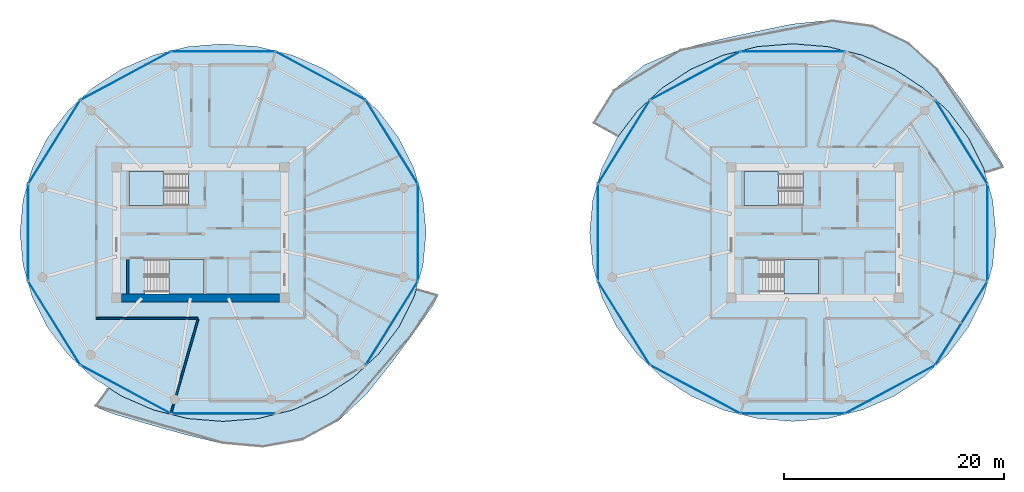
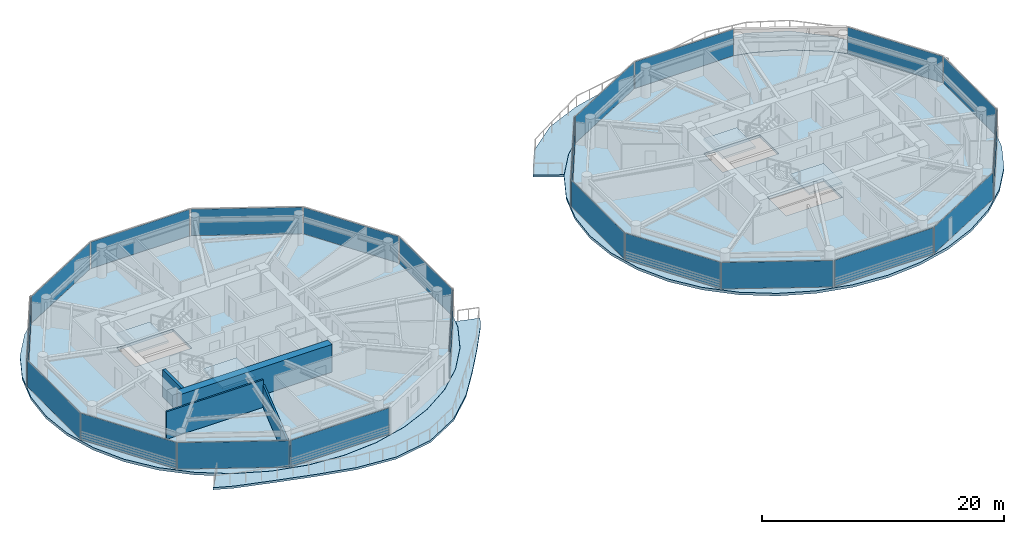
# One storey, part 12 of 24: 22 plates, 8 slabs, 4 walls, 26 elements without a shape of their own.
"""IFC4 building model written with IfcOpenShell, lengths in metres."""

from ifc_helpers import new_model, si_unit, direction, frame, frame_2d, origin, origin_2d, place, context, subcontext, project, spatial, polyline, rectangle, outline, extrude, source, transform, mapped, material, layer, layer_set, type_object, type_shapes, element, aggregate, save


model = new_model("IFC4")

# Units and contexts
model_context = context("Model", 3, precision=1e-05, world=origin(), true_north=direction((0.0, 1.0)))
body_context = subcontext(model_context, "Body", "Model", "MODEL_VIEW")
ifc_project = project(units=[si_unit("LENGTHUNIT", "METRE"), si_unit("AREAUNIT", "SQUARE_METRE"), si_unit("VOLUMEUNIT", "CUBIC_METRE"), si_unit("PLANEANGLEUNIT", "RADIAN"), si_unit("MASSUNIT", "GRAM", prefix="KILO")], contexts=[model_context])

# Site, building, storey
site_placement = place(None, origin())
site = spatial("IfcSite", under=ifc_project, at=site_placement, CompositionType="ELEMENT")
building_placement = place(site_placement, origin())
building = spatial("IfcBuilding", under=site, at=building_placement, Name="Norrkilde Senior Care Towers", CompositionType="ELEMENT")
storey_placement = place(building_placement, frame((0.0, 0.0, 111.5)))
storey = spatial("IfcBuildingStorey", under=building, at=storey_placement, Name="L34", CompositionType="ELEMENT", Elevation=111.5)

# Slabs
ifc_material_1 = material(Name="Concrete C50/60", Category="concrete")
ifc_layer_1 = layer(ifc_material_1, 0.215087890625)
ifc_layer_set_1 = layer_set([ifc_layer_1], Name="Concrete C50/60")
slab_type_1 = type_object("IfcSlabType", Name="Sinusoidal Balcony Ribbon Slab 215", PredefinedType="FLOOR", material=ifc_layer_set_1)
slab_1_placement = place(storey_placement, frame((0.0, 0.0, -0.215087890625)))
element("IfcSlab", 1, at=slab_1_placement, inside=storey, type_object=slab_type_1, Name="L34 Drum W Swirling Senior Balcony 1", PredefinedType="FLOOR", context=body_context, shape_type="SweptSolid", body=[
    extrude(outline(polyline([(-8.724853515625, -9.347412109375), (-10.7177734375, -12.012939453125), (-12.86669921875, -14.70361328125), (-15.4794921875, -17.16943359375), (-18.693603515625, -18.907958984375), (-22.306640625, -19.56689453125), (-25.949951171875, -19.243896484375), (-29.40234375, -18.401611328125), (-32.7197265625, -17.469970703125), (-36.055908203125, -16.490234375), (-37.653076171875, -15.826904296875), (-36.39404296875, -14.124267578125), (-35.202392578125, -14.89990234375), (-32.279052734375, -16.16748046875), (-29.163330078125, -16.943603515625), (-25.949951171875, -17.205078125), (-22.736572265625, -16.943603515625), (-19.620849609375, -16.16748046875), (-16.697509765625, -14.89990234375), (-14.05517578125, -13.1796875), (-11.7744140625, -11.05908203125), (-9.92431640625, -8.6025390625), (-8.56103515625, -5.884521484375), (-8.334716796875, -5.099853515625), (-6.332763671875, -5.679443359375), (-6.785888671875, -6.57958984375), (-8.724853515625, -9.347412109375)])), origin(), (0.0, 0.0, 1.0), 0.215087890625),
])
slab_2_placement = place(storey_placement, frame((0.0, 0.0, -0.215087890625)))
element("IfcSlab", 2, at=slab_2_placement, inside=storey, type_object=slab_type_1, Name="L34 Drum E Swirling Senior Balcony 1", PredefinedType="FLOOR", context=body_context, shape_type="SweptSolid", body=[
    extrude(outline(polyline([(9.626708984375, 12.99755859375), (12.420166015625, 15.27587890625), (15.7333984375, 16.696533203125), (19.1474609375, 17.56689453125), (22.51416015625, 18.300537109375), (25.949951171875, 19.009765625), (29.561279296875, 19.370849609375), (33.199462890625, 18.887939453125), (36.50146484375, 17.3203125), (39.181884765625, 14.89404296875), (41.285400390625, 12.106201171875), (43.121826171875, 9.314453125), (44.909423828125, 6.49951171875), (45.201171875, 5.923095703125), (43.48046875, 5.393798828125), (43.339111328125, 5.884521484375), (41.975830078125, 8.6025390625), (40.125732421875, 11.05908203125), (37.8447265625, 13.1796875), (35.202392578125, 14.89990234375), (32.279052734375, 16.16748046875), (29.163330078125, 16.943603515625), (25.949951171875, 17.205078125), (22.736572265625, 16.943603515625), (19.620849609375, 16.16748046875), (16.697509765625, 14.89990234375), (14.05517578125, 13.1796875), (11.7744140625, 11.05908203125), (10.009033203125, 8.715087890625), (7.7353515625, 9.958251953125), (7.736328125, 9.96142578125), (9.626708984375, 12.99755859375)])), origin(), (0.0, 0.0, 1.0), 0.215087890625),
])

# Stair, slab
ifc_material_2 = material(Name="Concrete C45/55", Category="concrete")
stair_type = type_object("IfcStairType", Name="Core Protected Dogleg Stair Typical 3050", PredefinedType="HALF_TURN_STAIR", material=ifc_material_2)
stair_1_placement = place(storey_placement, origin())
stair_1 = element("IfcStair", 3, at=stair_1_placement, inside=storey, type_object=stair_type, Name="L34 Protected Core Stair W1", PredefinedType="HALF_TURN_STAIR")
ifc_layer_2 = layer(ifc_material_2, 0.199951171875)
ifc_layer_set_2 = layer_set([ifc_layer_2], Name="Concrete C45/55")
slab_type_2 = type_object("IfcSlabType", Name="Stair Landing Slab 200", PredefinedType="LANDING", material=ifc_layer_set_2)
slab_3_placement = place(storey_placement, frame((0.0, 0.0, 1.324951171875)))
slab_3 = element("IfcSlab", 4, at=slab_3_placement, type_object=slab_type_2, Name="ST-W1 landing 1", PredefinedType="LANDING", context=body_context, shape_type="SweptSolid", body=[
    extrude(outline(polyline([(-31.340087890625, 5.590087890625), (-34.5, 5.590087890625), (-34.5, 2.449951171875), (-31.340087890625, 2.449951171875), (-31.340087890625, 5.590087890625)])), origin(), (0.0, 0.0, 1.0), 0.199951171875),
])
aggregate(stair_1, [slab_3])

stair_2_placement = place(storey_placement, origin())
stair_2 = element("IfcStair", 5, at=stair_2_placement, inside=storey, type_object=stair_type, Name="L34 Protected Core Stair W2", PredefinedType="HALF_TURN_STAIR")
slab_4_placement = place(storey_placement, frame((0.0, 0.0, 1.324951171875)))
slab_4 = element("IfcSlab", 6, at=slab_4_placement, type_object=slab_type_2, Name="ST-W2 landing 1", PredefinedType="LANDING", context=body_context, shape_type="SweptSolid", body=[
    extrude(outline(polyline([(-30.860107421875, -5.590087890625), (-27.699951171875, -5.590087890625), (-27.699951171875, -2.449951171875), (-30.860107421875, -2.449951171875), (-30.860107421875, -5.590087890625)])), origin(), (0.0, 0.0, 1.0), 0.199951171875),
])
aggregate(stair_2, [slab_4])

stair_3_placement = place(storey_placement, origin())
stair_3 = element("IfcStair", 7, at=stair_3_placement, inside=storey, type_object=stair_type, Name="L34 Protected Core Stair E1", PredefinedType="HALF_TURN_STAIR")
slab_5_placement = place(storey_placement, frame((0.0, 0.0, 1.324951171875)))
slab_5 = element("IfcSlab", 8, at=slab_5_placement, type_object=slab_type_2, Name="ST-E1 landing 1", PredefinedType="LANDING", context=body_context, shape_type="SweptSolid", body=[
    extrude(outline(polyline([(24.659912109375, 5.590087890625), (21.5, 5.590087890625), (21.5, 2.449951171875), (24.659912109375, 2.449951171875), (24.659912109375, 5.590087890625)])), origin(), (0.0, 0.0, 1.0), 0.199951171875),
])
aggregate(stair_3, [slab_5])

stair_4_placement = place(storey_placement, origin())
stair_4 = element("IfcStair", 9, at=stair_4_placement, inside=storey, type_object=stair_type, Name="L34 Protected Core Stair E2", PredefinedType="HALF_TURN_STAIR")
slab_6_placement = place(storey_placement, frame((0.0, 0.0, 1.324951171875)))
slab_6 = element("IfcSlab", 10, at=slab_6_placement, type_object=slab_type_2, Name="ST-E2 landing 1", PredefinedType="LANDING", context=body_context, shape_type="SweptSolid", body=[
    extrude(outline(polyline([(25.139892578125, -5.590087890625), (28.300048828125, -5.590087890625), (28.300048828125, -2.449951171875), (25.139892578125, -2.449951171875), (25.139892578125, -5.590087890625)])), origin(), (0.0, 0.0, 1.0), 0.199951171875),
])
aggregate(stair_4, [slab_6])

# Slabs
ifc_layer_3 = layer(ifc_material_1, 0.260009765625)
ifc_layer_set_3 = layer_set([ifc_layer_3], Name="Concrete C50/60")
slab_type_3 = type_object("IfcSlabType", Name="Tower Care Floor Slab 260", PredefinedType="FLOOR", material=ifc_layer_set_3)
slab_7_placement = place(storey_placement, frame((0.0, 0.0, -0.260009765625)))
element("IfcSlab", 11, at=slab_7_placement, inside=storey, type_object=slab_type_3, Name="L34 Drum W Structural Floor Slab", PredefinedType="FLOOR", context=body_context, shape_type="SweptSolid", body=[
    extrude(outline(polyline([(-8.565673828125, -5.8828125), (-9.928466796875, -8.60009765625), (-11.778076171875, -11.055908203125), (-14.058349609375, -13.176025390625), (-16.699951171875, -14.895751953125), (-19.62255859375, -16.16259765625), (-22.737548828125, -16.938720703125), (-25.949951171875, -17.199951171875), (-29.16259765625, -16.938720703125), (-32.27734375, -16.16259765625), (-35.199951171875, -14.895751953125), (-37.841552734375, -13.176025390625), (-40.121826171875, -11.055908203125), (-41.971435546875, -8.60009765625), (-43.334228515625, -5.8828125), (-44.1689453125, -2.98681640625), (-44.449951171875, 0.0), (-44.1689453125, 2.98681640625), (-43.334228515625, 5.8828125), (-41.971435546875, 8.60009765625), (-40.121826171875, 11.055908203125), (-37.841552734375, 13.176025390625), (-35.199951171875, 14.895751953125), (-32.27734375, 16.16259765625), (-29.16259765625, 16.938720703125), (-25.949951171875, 17.199951171875), (-22.737548828125, 16.938720703125), (-19.62255859375, 16.16259765625), (-16.699951171875, 14.895751953125), (-14.058349609375, 13.176025390625), (-11.778076171875, 11.055908203125), (-9.928466796875, 8.60009765625), (-8.565673828125, 5.8828125), (-7.73095703125, 2.98681640625), (-7.449951171875, 0.0), (-7.73095703125, -2.98681640625), (-8.565673828125, -5.8828125)]), holes=[polyline([(-34.48193359375, 2.468017578125), (-29.117919921875, 2.468017578125), (-29.117919921875, 5.590087890625), (-34.48193359375, 5.590087890625), (-34.48193359375, 2.468017578125)]), polyline([(-27.718017578125, -5.590087890625), (-27.718017578125, -2.468017578125), (-33.08203125, -2.468017578125), (-33.08203125, -5.590087890625), (-27.718017578125, -5.590087890625)])]), origin(), (0.0, 0.0, 1.0), 0.260009765625),
])
slab_8_placement = place(storey_placement, frame((0.0, 0.0, -0.260009765625)))
element("IfcSlab", 12, at=slab_8_placement, inside=storey, type_object=slab_type_3, Name="L34 Drum E Structural Floor Slab", PredefinedType="FLOOR", context=body_context, shape_type="SweptSolid", body=[
    extrude(outline(polyline([(43.334228515625, -5.8828125), (41.971435546875, -8.60009765625), (40.121826171875, -11.055908203125), (37.841552734375, -13.176025390625), (35.199951171875, -14.895751953125), (32.27734375, -16.16259765625), (29.16259765625, -16.938720703125), (25.949951171875, -17.199951171875), (22.737548828125, -16.938720703125), (19.62255859375, -16.16259765625), (16.699951171875, -14.895751953125), (14.058349609375, -13.176025390625), (11.778076171875, -11.055908203125), (9.928466796875, -8.60009765625), (8.565673828125, -5.8828125), (7.73095703125, -2.98681640625), (7.449951171875, 0.0), (7.73095703125, 2.98681640625), (8.565673828125, 5.8828125), (9.928466796875, 8.60009765625), (11.778076171875, 11.055908203125), (14.058349609375, 13.176025390625), (16.699951171875, 14.895751953125), (19.62255859375, 16.16259765625), (22.737548828125, 16.938720703125), (25.949951171875, 17.199951171875), (29.16259765625, 16.938720703125), (32.27734375, 16.16259765625), (35.199951171875, 14.895751953125), (37.841552734375, 13.176025390625), (40.121826171875, 11.055908203125), (41.971435546875, 8.60009765625), (43.334228515625, 5.8828125), (44.1689453125, 2.98681640625), (44.449951171875, 0.0), (44.1689453125, -2.98681640625), (43.334228515625, -5.8828125)]), holes=[polyline([(21.51806640625, 2.468017578125), (26.882080078125, 2.468017578125), (26.882080078125, 5.590087890625), (21.51806640625, 5.590087890625), (21.51806640625, 2.468017578125)]), polyline([(28.281982421875, -5.590087890625), (28.281982421875, -2.468017578125), (22.91796875, -2.468017578125), (22.91796875, -5.590087890625), (28.281982421875, -5.590087890625)])]), origin(), (0.0, 0.0, 1.0), 0.260009765625),
])

# Curtain wall, plate
ifc_material_3 = material(Name="Triple Low-E Insulated Glazing", Category="glass")
ifc_layer_4 = layer(ifc_material_3, 0.195068359375)
ifc_layer_set_4 = layer_set([ifc_layer_4], Name="Triple Low-E Insulated Glazing")
curtain_wall_type = type_object("IfcCurtainWallType", Name="CW3 Zone 2 Assisted Living Curtain Wall", PredefinedType="NOTDEFINED", material=ifc_layer_set_4)
curtain_wall_1_placement = place(storey_placement, origin())
curtain_wall_1 = element("IfcCurtainWall", 13, at=curtain_wall_1_placement, inside=storey, type_object=curtain_wall_type, Name="L34 Drum W Curtain Wall 00", PredefinedType="NOTDEFINED")
ifc_layer_5 = layer(ifc_material_3, 0.035888671875)
ifc_layer_set_5 = layer_set([ifc_layer_5], Name="Triple Low-E Insulated Glazing")
plate_type = type_object("IfcPlateType", Name="Triple Low-E Vision Curtain Panel 36", PredefinedType="CURTAIN_PANEL", material=ifc_layer_set_5)
shared_shape_1 = source(origin(), body_context, "Body", "SweptSolid", [
    extrude(rectangle(XDim=8.88427734375, YDim=0.035888671875, at=origin_2d()), origin(), (0.0, 0.0, 1.0), 2.669921875),
])
plate_1_placement = place(storey_placement, frame((-10.574951171875, 8.2490234375, 0.06005859375), z_axis=(0.0, 0.0, 1.0), x_axis=(0.527733228002, -0.849410171862, 0.0)))
plate_1 = element("IfcPlate", 14, at=plate_1_placement, type_object=plate_type, Name="CW-3 panel 1.1", PredefinedType="CURTAIN_PANEL", context=body_context, shape_type="MappedRepresentation", body=[
    mapped(shared_shape_1, transform((0.0, 0.0, 0.0), x_axis=(1.0, 0.0, 0.0), y_axis=(0.0, 1.0, 0.0), z_axis=(0.0, 0.0, 1.0), scale=1.0)),
])
aggregate(curtain_wall_1, [plate_1])

curtain_wall_2_placement = place(storey_placement, origin())
curtain_wall_2 = element("IfcCurtainWall", 15, at=curtain_wall_2_placement, inside=storey, type_object=curtain_wall_type, Name="L34 Drum W Curtain Wall 04", PredefinedType="NOTDEFINED")
plate_2_placement = place(storey_placement, frame((-41.3251953125, 8.2490234375, 0.06005859375), z_axis=(0.0, 0.0, 1.0), x_axis=(0.527733228002, 0.849410171862, 0.0)))
plate_2 = element("IfcPlate", 16, at=plate_2_placement, type_object=plate_type, Name="CW-3 panel 1.1", PredefinedType="CURTAIN_PANEL", context=body_context, shape_type="MappedRepresentation", body=[
    mapped(shared_shape_1, transform((0.0, 0.0, 0.0), x_axis=(1.0, 0.0, 0.0), y_axis=(0.0, 1.0, 0.0), z_axis=(0.0, 0.0, 1.0), scale=1.0)),
])
aggregate(curtain_wall_2, [plate_2])

curtain_wall_3_placement = place(storey_placement, origin())
curtain_wall_3 = element("IfcCurtainWall", 17, at=curtain_wall_3_placement, inside=storey, type_object=curtain_wall_type, Name="L34 Drum W Curtain Wall 06", PredefinedType="NOTDEFINED")
plate_3_placement = place(storey_placement, frame((-41.3251953125, -8.2490234375, 0.06005859375), z_axis=(0.0, 0.0, 1.0), x_axis=(-0.527733228002, 0.849410171862, 0.0)))
plate_3 = element("IfcPlate", 18, at=plate_3_placement, type_object=plate_type, Name="CW-3 panel 1.1", PredefinedType="CURTAIN_PANEL", context=body_context, shape_type="MappedRepresentation", body=[
    mapped(shared_shape_1, transform((0.0, 0.0, 0.0), x_axis=(1.0, 0.0, 0.0), y_axis=(0.0, 1.0, 0.0), z_axis=(0.0, 0.0, 1.0), scale=1.0)),
])
aggregate(curtain_wall_3, [plate_3])

curtain_wall_4_placement = place(storey_placement, origin())
curtain_wall_4 = element("IfcCurtainWall", 19, at=curtain_wall_4_placement, inside=storey, type_object=curtain_wall_type, Name="L34 Drum W Curtain Wall 10", PredefinedType="NOTDEFINED")
plate_4_placement = place(storey_placement, frame((-10.574951171875, -8.2490234375, 0.06005859375), z_axis=(0.0, 0.0, 1.0), x_axis=(-0.527733228002, -0.849410171862, 0.0)))
plate_4 = element("IfcPlate", 20, at=plate_4_placement, type_object=plate_type, Name="CW-3 panel 1.1", PredefinedType="CURTAIN_PANEL", context=body_context, shape_type="MappedRepresentation", body=[
    mapped(shared_shape_1, transform((0.0, 0.0, 0.0), x_axis=(1.0, 0.0, 0.0), y_axis=(0.0, 1.0, 0.0), z_axis=(0.0, 0.0, 1.0), scale=1.0)),
])
aggregate(curtain_wall_4, [plate_4])

curtain_wall_5_placement = place(storey_placement, origin())
curtain_wall_5 = element("IfcCurtainWall", 21, at=curtain_wall_5_placement, inside=storey, type_object=curtain_wall_type, Name="L34 Drum E Curtain Wall 00", PredefinedType="NOTDEFINED")
plate_5_placement = place(storey_placement, frame((41.3251953125, 8.2490234375, 0.06005859375), z_axis=(0.0, 0.0, 1.0), x_axis=(0.527733228002, -0.849410171862, 0.0)))
plate_5 = element("IfcPlate", 22, at=plate_5_placement, type_object=plate_type, Name="CW-3 panel 1.1", PredefinedType="CURTAIN_PANEL", context=body_context, shape_type="MappedRepresentation", body=[
    mapped(shared_shape_1, transform((0.0, 0.0, 0.0), x_axis=(1.0, 0.0, 0.0), y_axis=(0.0, 1.0, 0.0), z_axis=(0.0, 0.0, 1.0), scale=1.0)),
])
aggregate(curtain_wall_5, [plate_5])

curtain_wall_6_placement = place(storey_placement, origin())
curtain_wall_6 = element("IfcCurtainWall", 23, at=curtain_wall_6_placement, inside=storey, type_object=curtain_wall_type, Name="L34 Drum E Curtain Wall 04", PredefinedType="NOTDEFINED")
plate_6_placement = place(storey_placement, frame((10.574951171875, 8.2490234375, 0.06005859375), z_axis=(0.0, 0.0, 1.0), x_axis=(0.527733228002, 0.849410171862, 0.0)))
plate_6 = element("IfcPlate", 24, at=plate_6_placement, type_object=plate_type, Name="CW-3 panel 1.1", PredefinedType="CURTAIN_PANEL", context=body_context, shape_type="MappedRepresentation", body=[
    mapped(shared_shape_1, transform((0.0, 0.0, 0.0), x_axis=(1.0, 0.0, 0.0), y_axis=(0.0, 1.0, 0.0), z_axis=(0.0, 0.0, 1.0), scale=1.0)),
])
aggregate(curtain_wall_6, [plate_6])

curtain_wall_7_placement = place(storey_placement, origin())
curtain_wall_7 = element("IfcCurtainWall", 25, at=curtain_wall_7_placement, inside=storey, type_object=curtain_wall_type, Name="L34 Drum E Curtain Wall 06", PredefinedType="NOTDEFINED")
plate_7_placement = place(storey_placement, frame((10.574951171875, -8.2490234375, 0.06005859375), z_axis=(0.0, 0.0, 1.0), x_axis=(-0.527733228002, 0.849410171862, 0.0)))
plate_7 = element("IfcPlate", 26, at=plate_7_placement, type_object=plate_type, Name="CW-3 panel 1.1", PredefinedType="CURTAIN_PANEL", context=body_context, shape_type="MappedRepresentation", body=[
    mapped(shared_shape_1, transform((0.0, 0.0, 0.0), x_axis=(1.0, 0.0, 0.0), y_axis=(0.0, 1.0, 0.0), z_axis=(0.0, 0.0, 1.0), scale=1.0)),
])
aggregate(curtain_wall_7, [plate_7])

curtain_wall_8_placement = place(storey_placement, origin())
curtain_wall_8 = element("IfcCurtainWall", 27, at=curtain_wall_8_placement, inside=storey, type_object=curtain_wall_type, Name="L34 Drum E Curtain Wall 10", PredefinedType="NOTDEFINED")
plate_8_placement = place(storey_placement, frame((41.3251953125, -8.2490234375, 0.06005859375), z_axis=(0.0, 0.0, 1.0), x_axis=(-0.527733228002, -0.849410171862, 0.0)))
plate_8 = element("IfcPlate", 28, at=plate_8_placement, type_object=plate_type, Name="CW-3 panel 1.1", PredefinedType="CURTAIN_PANEL", context=body_context, shape_type="MappedRepresentation", body=[
    mapped(shared_shape_1, transform((0.0, 0.0, 0.0), x_axis=(1.0, 0.0, 0.0), y_axis=(0.0, 1.0, 0.0), z_axis=(0.0, 0.0, 1.0), scale=1.0)),
])
aggregate(curtain_wall_8, [plate_8])

curtain_wall_9_placement = place(storey_placement, origin())
curtain_wall_9 = element("IfcCurtainWall", 29, at=curtain_wall_9_placement, inside=storey, type_object=curtain_wall_type, Name="L34 Drum W Curtain Wall 01", PredefinedType="NOTDEFINED")
shared_shape_2 = source(origin(), body_context, "Body", "SweptSolid", [
    extrude(rectangle(XDim=9.220458984375, YDim=0.035888671875, at=origin_2d()), origin(), (0.0, 0.0, 1.0), 2.669921875),
])
plate_9_placement = place(storey_placement, frame((-17.0732421875, 14.28759765625, 0.06005859375), z_axis=(0.0, 0.0, 1.0), x_axis=(0.881186184668, -0.472769402511, 0.0)))
plate_9 = element("IfcPlate", 30, at=plate_9_placement, type_object=plate_type, Name="CW-3 panel 1.1", PredefinedType="CURTAIN_PANEL", context=body_context, shape_type="MappedRepresentation", body=[
    mapped(shared_shape_2, transform((0.0, 0.0, 0.0), x_axis=(1.0, 0.0, 0.0), y_axis=(0.0, 1.0, 0.0), z_axis=(0.0, 0.0, 1.0), scale=1.0)),
])
aggregate(curtain_wall_9, [plate_9])

curtain_wall_10_placement = place(storey_placement, origin())
curtain_wall_10 = element("IfcCurtainWall", 31, at=curtain_wall_10_placement, inside=storey, type_object=curtain_wall_type, Name="L34 Drum W Curtain Wall 03", PredefinedType="NOTDEFINED")
plate_10_placement = place(storey_placement, frame((-34.826904296875, 14.28759765625, 0.06005859375), z_axis=(0.0, 0.0, 1.0), x_axis=(0.881186184668, 0.472769402511, 0.0)))
plate_10 = element("IfcPlate", 32, at=plate_10_placement, type_object=plate_type, Name="CW-3 panel 1.1", PredefinedType="CURTAIN_PANEL", context=body_context, shape_type="MappedRepresentation", body=[
    mapped(shared_shape_2, transform((0.0, 0.0, 0.0), x_axis=(1.0, 0.0, 0.0), y_axis=(0.0, 1.0, 0.0), z_axis=(0.0, 0.0, 1.0), scale=1.0)),
])
aggregate(curtain_wall_10, [plate_10])

curtain_wall_11_placement = place(storey_placement, origin())
curtain_wall_11 = element("IfcCurtainWall", 33, at=curtain_wall_11_placement, inside=storey, type_object=curtain_wall_type, Name="L34 Drum W Curtain Wall 07", PredefinedType="NOTDEFINED")
plate_11_placement = place(storey_placement, frame((-34.826904296875, -14.28759765625, 0.06005859375), z_axis=(0.0, 0.0, 1.0), x_axis=(-0.881186184668, 0.472769402511, 0.0)))
plate_11 = element("IfcPlate", 34, at=plate_11_placement, type_object=plate_type, Name="CW-3 panel 1.1", PredefinedType="CURTAIN_PANEL", context=body_context, shape_type="MappedRepresentation", body=[
    mapped(shared_shape_2, transform((0.0, 0.0, 0.0), x_axis=(1.0, 0.0, 0.0), y_axis=(0.0, 1.0, 0.0), z_axis=(0.0, 0.0, 1.0), scale=1.0)),
])
aggregate(curtain_wall_11, [plate_11])

curtain_wall_12_placement = place(storey_placement, origin())
curtain_wall_12 = element("IfcCurtainWall", 35, at=curtain_wall_12_placement, inside=storey, type_object=curtain_wall_type, Name="L34 Drum E Curtain Wall 03", PredefinedType="NOTDEFINED")
plate_12_placement = place(storey_placement, frame((17.0732421875, 14.28759765625, 0.06005859375), z_axis=(0.0, 0.0, 1.0), x_axis=(0.881186184668, 0.472769402511, 0.0)))
plate_12 = element("IfcPlate", 36, at=plate_12_placement, type_object=plate_type, Name="CW-3 panel 1.1", PredefinedType="CURTAIN_PANEL", context=body_context, shape_type="MappedRepresentation", body=[
    mapped(shared_shape_2, transform((0.0, 0.0, 0.0), x_axis=(1.0, 0.0, 0.0), y_axis=(0.0, 1.0, 0.0), z_axis=(0.0, 0.0, 1.0), scale=1.0)),
])
aggregate(curtain_wall_12, [plate_12])

curtain_wall_13_placement = place(storey_placement, origin())
curtain_wall_13 = element("IfcCurtainWall", 37, at=curtain_wall_13_placement, inside=storey, type_object=curtain_wall_type, Name="L34 Drum E Curtain Wall 07", PredefinedType="NOTDEFINED")
plate_13_placement = place(storey_placement, frame((17.0732421875, -14.28759765625, 0.06005859375), z_axis=(0.0, 0.0, 1.0), x_axis=(-0.881186184668, 0.472769402511, 0.0)))
plate_13 = element("IfcPlate", 38, at=plate_13_placement, type_object=plate_type, Name="CW-3 panel 1.1", PredefinedType="CURTAIN_PANEL", context=body_context, shape_type="MappedRepresentation", body=[
    mapped(shared_shape_2, transform((0.0, 0.0, 0.0), x_axis=(1.0, 0.0, 0.0), y_axis=(0.0, 1.0, 0.0), z_axis=(0.0, 0.0, 1.0), scale=1.0)),
])
aggregate(curtain_wall_13, [plate_13])

curtain_wall_14_placement = place(storey_placement, origin())
curtain_wall_14 = element("IfcCurtainWall", 39, at=curtain_wall_14_placement, inside=storey, type_object=curtain_wall_type, Name="L34 Drum E Curtain Wall 09", PredefinedType="NOTDEFINED")
plate_14_placement = place(storey_placement, frame((34.826904296875, -14.28759765625, 0.06005859375), z_axis=(0.0, 0.0, 1.0), x_axis=(-0.881186184668, -0.472769402511, 0.0)))
plate_14 = element("IfcPlate", 40, at=plate_14_placement, type_object=plate_type, Name="CW-3 panel 1.1", PredefinedType="CURTAIN_PANEL", context=body_context, shape_type="MappedRepresentation", body=[
    mapped(shared_shape_2, transform((0.0, 0.0, 0.0), x_axis=(1.0, 0.0, 0.0), y_axis=(0.0, 1.0, 0.0), z_axis=(0.0, 0.0, 1.0), scale=1.0)),
])
aggregate(curtain_wall_14, [plate_14])

curtain_wall_15_placement = place(storey_placement, origin())
curtain_wall_15 = element("IfcCurtainWall", 41, at=curtain_wall_15_placement, inside=storey, type_object=curtain_wall_type, Name="L34 Drum W Curtain Wall 02", PredefinedType="NOTDEFINED")
shared_shape_3 = source(origin(), body_context, "Body", "SweptSolid", [
    extrude(rectangle(XDim=9.38427734375, YDim=0.035888671875, at=origin_2d()), origin(), (0.0, 0.0, 1.0), 2.669921875),
])
plate_15_placement = place(storey_placement, frame((-25.949951171875, 16.498046875, 0.06005859375), z_axis=(0.0, 0.0, 1.0), x_axis=(1.0, 0.0, 0.0)))
plate_15 = element("IfcPlate", 42, at=plate_15_placement, type_object=plate_type, Name="CW-3 panel 1.1", PredefinedType="CURTAIN_PANEL", context=body_context, shape_type="MappedRepresentation", body=[
    mapped(shared_shape_3, transform((0.0, 0.0, 0.0), x_axis=(1.0, 0.0, 0.0), y_axis=(0.0, 1.0, 0.0), z_axis=(0.0, 0.0, 1.0), scale=1.0)),
])
aggregate(curtain_wall_15, [plate_15])

curtain_wall_16_placement = place(storey_placement, origin())
curtain_wall_16 = element("IfcCurtainWall", 43, at=curtain_wall_16_placement, inside=storey, type_object=curtain_wall_type, Name="L34 Drum W Curtain Wall 08", PredefinedType="NOTDEFINED")
plate_16_placement = place(storey_placement, frame((-25.949951171875, -16.498046875, 0.06005859375), z_axis=(0.0, 0.0, 1.0), x_axis=(-1.0, 0.0, 0.0)))
plate_16 = element("IfcPlate", 44, at=plate_16_placement, type_object=plate_type, Name="CW-3 panel 1.1", PredefinedType="CURTAIN_PANEL", context=body_context, shape_type="MappedRepresentation", body=[
    mapped(shared_shape_3, transform((0.0, 0.0, 0.0), x_axis=(1.0, 0.0, 0.0), y_axis=(0.0, 1.0, 0.0), z_axis=(0.0, 0.0, 1.0), scale=1.0)),
])
aggregate(curtain_wall_16, [plate_16])

curtain_wall_17_placement = place(storey_placement, origin())
curtain_wall_17 = element("IfcCurtainWall", 45, at=curtain_wall_17_placement, inside=storey, type_object=curtain_wall_type, Name="L34 Drum E Curtain Wall 02", PredefinedType="NOTDEFINED")
plate_17_placement = place(storey_placement, frame((25.949951171875, 16.498046875, 0.06005859375), z_axis=(0.0, 0.0, 1.0), x_axis=(1.0, 0.0, 0.0)))
plate_17 = element("IfcPlate", 46, at=plate_17_placement, type_object=plate_type, Name="CW-3 panel 1.1", PredefinedType="CURTAIN_PANEL", context=body_context, shape_type="MappedRepresentation", body=[
    mapped(shared_shape_3, transform((0.0, 0.0, 0.0), x_axis=(1.0, 0.0, 0.0), y_axis=(0.0, 1.0, 0.0), z_axis=(0.0, 0.0, 1.0), scale=1.0)),
])
aggregate(curtain_wall_17, [plate_17])

curtain_wall_18_placement = place(storey_placement, origin())
curtain_wall_18 = element("IfcCurtainWall", 47, at=curtain_wall_18_placement, inside=storey, type_object=curtain_wall_type, Name="L34 Drum E Curtain Wall 08", PredefinedType="NOTDEFINED")
plate_18_placement = place(storey_placement, frame((25.949951171875, -16.498046875, 0.06005859375), z_axis=(0.0, 0.0, 1.0), x_axis=(-1.0, 0.0, 0.0)))
plate_18 = element("IfcPlate", 48, at=plate_18_placement, type_object=plate_type, Name="CW-3 panel 1.1", PredefinedType="CURTAIN_PANEL", context=body_context, shape_type="MappedRepresentation", body=[
    mapped(shared_shape_3, transform((0.0, 0.0, 0.0), x_axis=(1.0, 0.0, 0.0), y_axis=(0.0, 1.0, 0.0), z_axis=(0.0, 0.0, 1.0), scale=1.0)),
])
aggregate(curtain_wall_18, [plate_18])

curtain_wall_19_placement = place(storey_placement, origin())
curtain_wall_19 = element("IfcCurtainWall", 49, at=curtain_wall_19_placement, inside=storey, type_object=curtain_wall_type, Name="L34 Drum W Curtain Wall 05", PredefinedType="NOTDEFINED")
shared_shape_4 = source(origin(), body_context, "Body", "SweptSolid", [
    extrude(rectangle(XDim=8.711181640625, YDim=0.035888671875, at=origin_2d()), origin(), (0.0, 0.0, 1.0), 2.669921875),
])
type_shapes(plate_type, [shared_shape_1, shared_shape_2, shared_shape_3, shared_shape_4])
plate_19_placement = place(storey_placement, frame((-43.70361328125, 0.0, 0.06005859375), z_axis=(0.0, 0.0, 1.0), x_axis=(0.0, 1.0, 0.0)))
plate_19 = element("IfcPlate", 50, at=plate_19_placement, type_object=plate_type, Name="CW-3 panel 1.1", PredefinedType="CURTAIN_PANEL", context=body_context, shape_type="MappedRepresentation", body=[
    mapped(shared_shape_4, transform((0.0, 0.0, 0.0), x_axis=(1.0, 0.0, 0.0), y_axis=(0.0, 1.0, 0.0), z_axis=(0.0, 0.0, 1.0), scale=1.0)),
])
aggregate(curtain_wall_19, [plate_19])

curtain_wall_20_placement = place(storey_placement, origin())
curtain_wall_20 = element("IfcCurtainWall", 51, at=curtain_wall_20_placement, inside=storey, type_object=curtain_wall_type, Name="L34 Drum W Curtain Wall 11", PredefinedType="NOTDEFINED")
plate_20_placement = place(storey_placement, frame((-8.1962890625, 0.0, 0.06005859375), z_axis=(0.0, 0.0, 1.0), x_axis=(0.0, -1.0, 0.0)))
plate_20 = element("IfcPlate", 52, at=plate_20_placement, type_object=plate_type, Name="CW-3 panel 1.1", PredefinedType="CURTAIN_PANEL", context=body_context, shape_type="MappedRepresentation", body=[
    mapped(shared_shape_4, transform((0.0, 0.0, 0.0), x_axis=(1.0, 0.0, 0.0), y_axis=(0.0, 1.0, 0.0), z_axis=(0.0, 0.0, 1.0), scale=1.0)),
])
aggregate(curtain_wall_20, [plate_20])

curtain_wall_21_placement = place(storey_placement, origin())
curtain_wall_21 = element("IfcCurtainWall", 53, at=curtain_wall_21_placement, inside=storey, type_object=curtain_wall_type, Name="L34 Drum E Curtain Wall 05", PredefinedType="NOTDEFINED")
plate_21_placement = place(storey_placement, frame((8.1962890625, 0.0, 0.06005859375), z_axis=(0.0, 0.0, 1.0), x_axis=(0.0, 1.0, 0.0)))
plate_21 = element("IfcPlate", 54, at=plate_21_placement, type_object=plate_type, Name="CW-3 panel 1.1", PredefinedType="CURTAIN_PANEL", context=body_context, shape_type="MappedRepresentation", body=[
    mapped(shared_shape_4, transform((0.0, 0.0, 0.0), x_axis=(1.0, 0.0, 0.0), y_axis=(0.0, 1.0, 0.0), z_axis=(0.0, 0.0, 1.0), scale=1.0)),
])
aggregate(curtain_wall_21, [plate_21])

curtain_wall_22_placement = place(storey_placement, origin())
curtain_wall_22 = element("IfcCurtainWall", 55, at=curtain_wall_22_placement, inside=storey, type_object=curtain_wall_type, Name="L34 Drum E Curtain Wall 11", PredefinedType="NOTDEFINED")
plate_22_placement = place(storey_placement, frame((43.70361328125, 0.0, 0.06005859375), z_axis=(0.0, 0.0, 1.0), x_axis=(0.0, -1.0, 0.0)))
plate_22 = element("IfcPlate", 56, at=plate_22_placement, type_object=plate_type, Name="CW-3 panel 1.1", PredefinedType="CURTAIN_PANEL", context=body_context, shape_type="MappedRepresentation", body=[
    mapped(shared_shape_4, transform((0.0, 0.0, 0.0), x_axis=(1.0, 0.0, 0.0), y_axis=(0.0, 1.0, 0.0), z_axis=(0.0, 0.0, 1.0), scale=1.0)),
])
aggregate(curtain_wall_22, [plate_22])

# Walls
ifc_material_4 = material(Name="Concrete C60/75", Category="concrete")
ifc_layer_6 = layer(ifc_material_4, 0.719970703125)
ifc_layer_set_6 = layer_set([ifc_layer_6], Name="Concrete C60/75")
wall_type_1 = type_object("IfcWallType", Name="Core Shear Wall Z2 720", PredefinedType="SHEAR", material=ifc_layer_set_6)
shared_shape_5 = source(origin(), body_context, "Body", "SweptSolid", [
    extrude(rectangle(XDim=14.39990234375, YDim=0.719970703125, at=frame_2d((7.199951171875, 0.0))), origin(), (0.0, 0.0, 1.0), 2.7900390625),
])
type_shapes(wall_type_1, [shared_shape_5])
wall_1_placement = place(storey_placement, frame((-20.800048828125, -5.949951171875, 0.0), z_axis=(0.0, 0.0, 1.0), x_axis=(-1.0, 0.0, 0.0)))
element("IfcWall", 57, at=wall_1_placement, inside=storey, type_object=wall_type_1, Name="L34 Core W South Shear Wall", PredefinedType="SHEAR", context=body_context, shape_type="MappedRepresentation", body=[
    mapped(shared_shape_5, transform((0.0, 0.0, 0.0), x_axis=(1.0, 0.0, 0.0), y_axis=(0.0, 1.0, 0.0), z_axis=(0.0, 0.0, 1.0), scale=1.0)),
])
ifc_layer_7 = layer(ifc_material_2, 0.239990234375)
ifc_layer_set_7 = layer_set([ifc_layer_7], Name="Concrete C45/55")
wall_type_2 = type_object("IfcWallType", Name="Shaft and Stair Enclosure Wall 240", PredefinedType="PARTITIONING", material=ifc_layer_set_7)
shared_shape_6 = source(origin(), body_context, "Body", "SweptSolid", [
    extrude(rectangle(XDim=3.14013671875, YDim=0.239990234375, at=frame_2d((1.570068359375, 0.0))), origin(), (0.0, 0.0, 1.0), 2.7900390625),
])
type_shapes(wall_type_2, [shared_shape_6])
wall_2_placement = place(storey_placement, frame((-34.6201171875, -5.590087890625, 0.0), z_axis=(0.0, 0.0, 1.0), x_axis=(0.0, 1.0, 0.0)))
element("IfcWall", 58, at=wall_2_placement, inside=storey, type_object=wall_type_2, Name="WL-INT-L34-W-ST2W", PredefinedType="PARTITIONING", context=body_context, shape_type="MappedRepresentation", body=[
    mapped(shared_shape_6, transform((0.0, 0.0, 0.0), x_axis=(1.0, 0.0, 0.0), y_axis=(0.0, 1.0, 0.0), z_axis=(0.0, 0.0, 1.0), scale=1.0)),
])
ifc_material_5 = material(Name="Gypsum Acoustic Board")
ifc_layer_8 = layer(ifc_material_5, 0.1650390625)
ifc_layer_set_8 = layer_set([ifc_layer_8], Name="Gypsum Acoustic Board")
wall_type_3 = type_object("IfcWallType", Name="Corridor Rated Partition 165", PredefinedType="PARTITIONING", material=ifc_layer_set_8)
shared_shape_7 = source(origin(), body_context, "Body", "SweptSolid", [
    extrude(rectangle(XDim=9.234130859375, YDim=0.1650390625, at=frame_2d((4.6171875, 0.0))), origin(), (0.0, 0.0, 1.0), 2.77490234375),
])
wall_3_placement = place(storey_placement, frame((-28.265869140625, -7.800048828125, 0.0), z_axis=(0.0, 0.0, 1.0), x_axis=(-1.0, 0.0, 0.0)))
element("IfcWall", 59, at=wall_3_placement, inside=storey, type_object=wall_type_3, Name="WL-INT-L34-W-CRW-S-1", PredefinedType="PARTITIONING", context=body_context, shape_type="MappedRepresentation", body=[
    mapped(shared_shape_7, transform((0.0, 0.0, 0.0), x_axis=(1.0, 0.0, 0.0), y_axis=(0.0, 1.0, 0.0), z_axis=(0.0, 0.0, 1.0), scale=1.0)),
])
shared_shape_8 = source(origin(), body_context, "Body", "SweptSolid", [
    extrude(rectangle(XDim=8.9892578125, YDim=0.1650390625, at=frame_2d((4.49462890625, 0.0))), origin(), (0.0, 0.0, 1.0), 2.27490234375),
])
type_shapes(wall_type_3, [shared_shape_7, shared_shape_8])
wall_4_placement = place(storey_placement, frame((-28.221923828125, -7.8798828125, 0.0), z_axis=(0.0, 0.0, 1.0), x_axis=(-0.27702323008, -0.960863221274, 0.0)))
element("IfcWall", 60, at=wall_4_placement, inside=storey, type_object=wall_type_3, Name="WL-INT-L34-W-DEM-08-0", PredefinedType="PARTITIONING", context=body_context, shape_type="MappedRepresentation", body=[
    mapped(shared_shape_8, transform((0.0, 0.0, 0.0), x_axis=(1.0, 0.0, 0.0), y_axis=(0.0, 1.0, 0.0), z_axis=(0.0, 0.0, 1.0), scale=1.0)),
])

save(model, "model.ifc")
